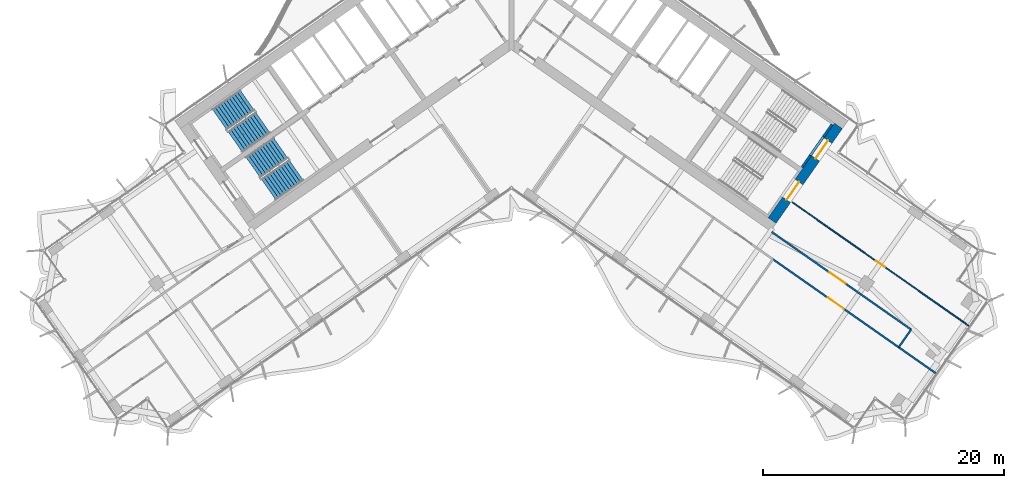
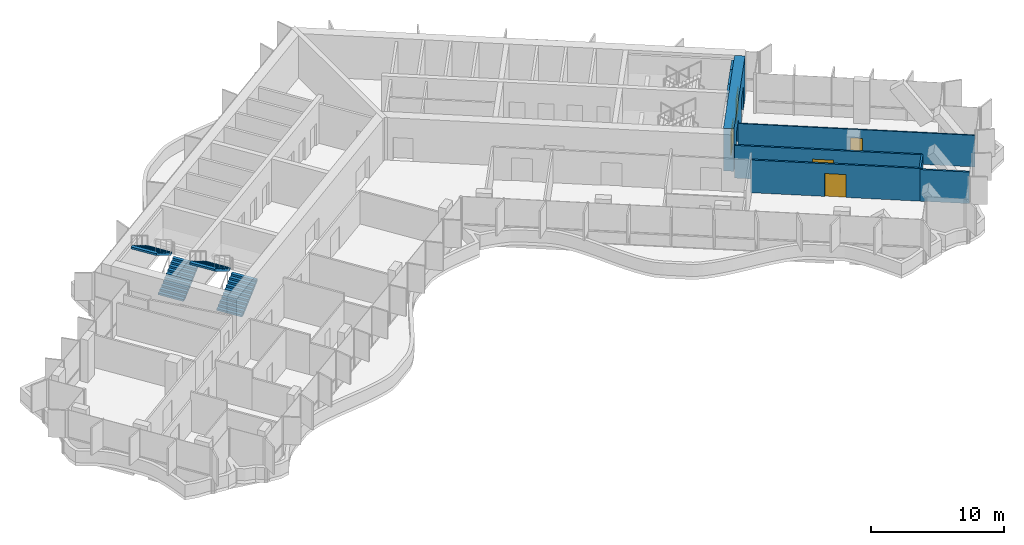
# One storey, part 15 of 21: 9 walls, 5 doors, 4 stair flights, 5 openings, 2 elements without a shape of their own.
"""IFC4 building model written with IfcOpenShell, lengths in metres."""

import ifcopenshell
import ifcopenshell.guid

model = None  # the IFC model being written
_history = None  # IfcOwnerHistory: only IFC2X3 demands one
_inside = {}  # id of a spatial element -> (the spatial element, [elements in it])
_under = {}  # id of a project, library or spatial element -> (it, [spatial elements below it])
_declared = {}  # id of a project -> (the project, [libraries it declares])
_typed = {}  # id of a type object -> (the type object, [elements of that type])
_made_of = {}  # id of a material, layer set ... -> (it, [elements and type objects made of it])


def new_model(schema):
    """Start an empty IFC model of exactly this schema.

    Asked for "IFC4X3", IfcOpenShell would pick the latest addendum, in which some entities
    have other attributes; the version numbers below select the first issue.
    IFC2X3 requires an IfcOwnerHistory on every rooted entity: one is made here for all.
    """
    global model, _history
    if schema == "IFC4X3":
        model = ifcopenshell.file(schema_version=(4, 3, 0, 0))
    else:
        model = ifcopenshell.file(schema=schema)
    _inside.clear()
    _under.clear()
    _declared.clear()
    _typed.clear()
    _made_of.clear()
    _history = None
    if model.schema == "IFC2X3":
        org = make("IfcOrganization", Name="unknown")
        user = make(
            "IfcPersonAndOrganization",
            ThePerson=make("IfcPerson", FamilyName="unknown"),
            TheOrganization=org,
        )
        app = make(
            "IfcApplication",
            ApplicationDeveloper=org,
            Version="unknown",
            ApplicationFullName="unknown",
            ApplicationIdentifier="unknown",
        )
        _history = make(
            "IfcOwnerHistory",
            OwningUser=user,
            OwningApplication=app,
            ChangeAction="ADDED",
            CreationDate=0,
        )
    return model


def make(cls, **values):
    """One entity of the class cls with the attributes given. An attribute that is None is left unset."""
    return model.create_entity(
        cls, **{name: value for name, value in values.items() if value is not None}
    )


def rooted(cls, **values):
    """An entity with a GlobalId (a new one), such as an element, a storey or a relation."""
    return make(cls, GlobalId=ifcopenshell.guid.new(), OwnerHistory=_history, **values)


def si_unit(unit_type, name, prefix=None):
    """IfcSIUnit, for example si_unit("LENGTHUNIT", "METRE", prefix="MILLI")."""
    return make("IfcSIUnit", UnitType=unit_type, Prefix=prefix, Name=name)


def assignment(units):
    """IfcUnitAssignment: the units of a project."""
    return None if units is None else make("IfcUnitAssignment", Units=units)


def point(xyz):
    """IfcCartesianPoint."""
    return None if xyz is None else make("IfcCartesianPoint", Coordinates=xyz)


def direction(xyz):
    """IfcDirection."""
    return None if xyz is None else make("IfcDirection", DirectionRatios=xyz)


def frame(location, z_axis=None, x_axis=None):
    """IfcAxis2Placement3D, a coordinate frame: its origin and axes. An axis left out is left unset."""
    return make(
        "IfcAxis2Placement3D",
        Location=point(location),
        Axis=direction(z_axis),
        RefDirection=direction(x_axis),
    )


def frame_2d(location, x_axis=None):
    """IfcAxis2Placement2D, a coordinate frame in the plane: its origin and x axis."""
    return make(
        "IfcAxis2Placement2D", Location=point(location), RefDirection=direction(x_axis)
    )


def origin():
    """The frame at (0, 0, 0) with its axes left unset."""
    return frame((0.0, 0.0, 0.0))


def place(relative_to, where):
    """IfcLocalPlacement: puts the frame where relative to a parent placement (None: the world)."""
    return make(
        "IfcLocalPlacement", PlacementRelTo=relative_to, RelativePlacement=where
    )


def context(
    kind, dimensions, precision=None, world=None, true_north=None, identifier=None
):
    """IfcGeometricRepresentationContext, for example the 3D "Model" context."""
    return make(
        "IfcGeometricRepresentationContext",
        ContextIdentifier=identifier,
        ContextType=kind,
        CoordinateSpaceDimension=dimensions,
        Precision=precision,
        WorldCoordinateSystem=world,
        TrueNorth=true_north,
    )


def subcontext(parent, identifier, kind, view, scale=None):
    """IfcGeometricRepresentationSubContext, for example "Body" below "Model"."""
    return make(
        "IfcGeometricRepresentationSubContext",
        ContextIdentifier=identifier,
        ContextType=kind,
        ParentContext=parent,
        TargetScale=scale,
        TargetView=view,
    )


def project(units=None, contexts=None):
    """IfcProject with its units and contexts."""
    return rooted(
        "IfcProject",
        Name="project",
        RepresentationContexts=contexts,
        UnitsInContext=assignment(units),
    )


def spatial(cls, under=None, at=None, **own):
    """A site, building, storey or space (cls), placed at a placement, below another one or the project."""
    s = rooted(cls, ObjectPlacement=at, **own)
    if under is not None:
        _under.setdefault(under.id(), (under, []))[1].append(s)
    return s


def polyline(points):
    """IfcPolyline through the points."""
    return make("IfcPolyline", Points=[point(p) for p in points])


def profile(cls, at=None, kind="AREA", **sizes):
    """A parametric profile (cls). Its sizes go by their IFC names, for example OverallWidth=200.0."""
    return make(cls, ProfileType=kind, Position=at, **sizes)


def rectangle(**sizes):
    """IfcRectangleProfileDef."""
    return profile("IfcRectangleProfileDef", **sizes)


def outline(outer, holes=None, kind="AREA"):
    """IfcArbitraryClosedProfileDef: a profile drawn as a closed curve; with holes, ...WithVoids."""
    if holes is None:
        return make("IfcArbitraryClosedProfileDef", ProfileType=kind, OuterCurve=outer)
    return make(
        "IfcArbitraryProfileDefWithVoids",
        ProfileType=kind,
        OuterCurve=outer,
        InnerCurves=holes,
    )


def extrude(swept, where, along, depth):
    """IfcExtrudedAreaSolid: the profile swept, set in the frame where, extruded along a direction by depth."""
    return make(
        "IfcExtrudedAreaSolid",
        SweptArea=swept,
        Position=where,
        ExtrudedDirection=direction(along),
        Depth=depth,
    )


def shape(context_of_items, identifier, shape_type, items):
    """IfcShapeRepresentation: the items that make up one representation, for example the "Body"."""
    return make(
        "IfcShapeRepresentation",
        ContextOfItems=context_of_items,
        RepresentationIdentifier=identifier,
        RepresentationType=shape_type,
        Items=items,
    )


def material(Name=None, Category=None):
    """IfcMaterial."""
    return make("IfcMaterial", Name=Name, Category=Category)


def layer(
    of_material, thickness, ventilated=None, Name=None, Category=None, Priority=None
):
    """IfcMaterialLayer: one layer of a wall or slab, of a material (None: an air gap)."""
    return make(
        "IfcMaterialLayer",
        Material=of_material,
        LayerThickness=thickness,
        IsVentilated=ventilated,
        Name=Name,
        Category=Category,
        Priority=Priority,
    )


def layer_set(layers, Name=None):
    """IfcMaterialLayerSet."""
    return make("IfcMaterialLayerSet", MaterialLayers=layers, LayerSetName=Name)


def made_of(thing, what):
    """Note that an element or type object is made of a material, layer set ...; save() writes the relation."""
    if what is not None:
        _made_of.setdefault(what.id(), (what, []))[1].append(thing)
    return thing


def type_object(cls, material=None, **own):
    """A type object (cls), such as IfcWallType, which elements share."""
    return made_of(rooted(cls, **own), material)


def element(
    cls,
    number,
    at=None,
    inside=None,
    cuts=None,
    type_object=None,
    material=None,
    context=None,
    identifier="Body",
    shape_type=None,
    held_by="IfcProductDefinitionShape",
    body=None,
    shapes=None,
    **own,
):
    """One element of the class cls, such as IfcWall. Its Tag is "e" and its number.

    at: its placement. inside: the storey or other place that contains it. cuts: it is an
    opening in that element (IfcRelVoidsElement). A single representation is given by context,
    identifier, shape_type and body (its items); several are given by shapes. held_by: the class
    of the entity that holds the representations. save() writes the other relations.
    """
    e = rooted(cls, Tag="e%d" % number, ObjectPlacement=at, **own)
    if body is not None:
        shapes = [shape(context, identifier, shape_type, body)]
    if shapes is not None:
        e.Representation = make(held_by, Representations=shapes)
    if inside is not None:
        _inside.setdefault(inside.id(), (inside, []))[1].append(e)
    if cuts is not None:
        rooted(
            "IfcRelVoidsElement", RelatingBuildingElement=cuts, RelatedOpeningElement=e
        )
    if type_object is not None:
        _typed.setdefault(type_object.id(), (type_object, []))[1].append(e)
    return made_of(e, material)


def fill(opening, filler):
    """IfcRelFillsElement: the door or window that sits in an opening."""
    return rooted(
        "IfcRelFillsElement",
        RelatingOpeningElement=opening,
        RelatedBuildingElement=filler,
    )


def aggregate(whole, parts):
    """IfcRelAggregates: a whole, such as a stair, and the parts it consists of."""
    return rooted("IfcRelAggregates", RelatingObject=whole, RelatedObjects=parts)


def save(model, path):
    """Write the relations noted so far, then the file.

    IfcRelAggregates (storeys below a building ...), IfcRelContainedInSpatialStructure (elements
    in a storey), IfcRelDefinesByType, IfcRelAssociatesMaterial and IfcRelDeclares: one each for
    every whole, place, type object, material and project.
    """
    for whole, parts in _under.values():
        aggregate(whole, parts)
    for where, things in _inside.values():
        rooted(
            "IfcRelContainedInSpatialStructure",
            RelatedElements=things,
            RelatingStructure=where,
        )
    for kind, things in _typed.values():
        rooted("IfcRelDefinesByType", RelatedObjects=things, RelatingType=kind)
    for what, things in _made_of.values():
        rooted("IfcRelAssociatesMaterial", RelatedObjects=things, RelatingMaterial=what)
    for by, libraries in _declared.values():
        rooted("IfcRelDeclares", RelatingContext=by, RelatedDefinitions=libraries)
    model.write(path)


model = new_model("IFC4")

# Units and contexts
model_context = context("Model", 3, precision=1e-05, world=origin(), true_north=direction((0.0, 1.0)))
body_context = subcontext(model_context, "Body", "Model", "MODEL_VIEW")
ifc_project = project(units=[si_unit("LENGTHUNIT", "METRE"), si_unit("AREAUNIT", "SQUARE_METRE"), si_unit("VOLUMEUNIT", "CUBIC_METRE"), si_unit("PLANEANGLEUNIT", "RADIAN"), si_unit("MASSUNIT", "GRAM", prefix="KILO")], contexts=[model_context])

# Site, building, storey
site_placement = place(None, origin())
site = spatial("IfcSite", under=ifc_project, at=site_placement, CompositionType="ELEMENT")
building_placement = place(site_placement, origin())
building = spatial("IfcBuilding", under=site, at=building_placement, Name="Tel Ilan Convention Tower", CompositionType="ELEMENT")
storey_placement = place(building_placement, frame((0.0, 0.0, 139.800048828125)))
storey = spatial("IfcBuildingStorey", under=building, at=storey_placement, Name="L31", CompositionType="ELEMENT", Elevation=139.800048828125)

# Wall, openings, doors
ifc_material_1 = material(Name="Concrete C50/60", Category="concrete")
ifc_layer_1 = layer(ifc_material_1, 0.800048828125)
ifc_layer_set_1 = layer_set([ifc_layer_1], Name="Core Shear Wall 800 mm C50/60")
wall_type_1 = type_object("IfcWallType", Name="Core Shear Wall 800 mm C50/60", PredefinedType="SHEAR", material=ifc_layer_set_1)
wall_1_placement = place(storey_placement, frame((21.6748046875, -15.4208984375, 0.0), z_axis=(0.0, 0.0, 1.0), x_axis=(0.573581815061, 0.819148278049, 0.0)))
wall_1 = element("IfcWall", 1, at=wall_1_placement, inside=storey, type_object=wall_type_1, Name="L31 core wall E-end", PredefinedType="SHEAR", context=body_context, shape_type="SweptSolid", body=[
    extrude(outline(polyline([(9.599853515625, 0.400146484375), (0.0, 0.39990234375), (0.0, -0.39990234375), (9.599853515625, -0.39990234375), (9.599853515625, 0.400146484375)])), origin(), (0.0, 0.0, 1.0), 3.89990234375),
])
opening_1_placement = place(wall_1_placement, frame((6.300048828125, 0.0, 0.0)))
opening_1 = element("IfcOpeningElement", 2, at=opening_1_placement, cuts=wall_1, Name="Opening SD2503", PredefinedType="OPENING", context=body_context, shape_type="SweptSolid", body=[
    extrude(rectangle(XDim=1.800048828125, YDim=2.10009765625, at=frame_2d((0.89990234375, 1.050048828125))), frame((0.0, 0.409912109375, 0.0), z_axis=(0.0, -1.0, 0.0), x_axis=(1.0, 0.0, 0.0)), (0.0, 0.0, 1.0), 0.820068359375),
])
opening_2_placement = place(wall_1_placement, frame((2.10009765625, 0.0, 0.0)))
opening_2 = element("IfcOpeningElement", 3, at=opening_2_placement, cuts=wall_1, Name="Opening SD2504", PredefinedType="OPENING", context=body_context, shape_type="SweptSolid", body=[
    extrude(rectangle(XDim=1.800048828125, YDim=2.10009765625, at=frame_2d((0.89990234375, 1.050048828125))), frame((0.0, 0.409912109375, 0.0), z_axis=(0.0, -1.0, 0.0), x_axis=(1.0, 0.0, 0.0)), (0.0, 0.0, 1.0), 0.820068359375),
])
ifc_material_2 = material(Name="Galvanised Steel Door Leaf", Category="steel")
door_type_1 = type_object("IfcDoorType", Name="Stair Fire Door 1800 x 2100 FD60S", OperationType="NOTDEFINED", PredefinedType="DOOR", material=ifc_material_2)
door_1_placement = place(opening_1_placement, origin())
door_1 = element("IfcDoor", 4, at=door_1_placement, inside=storey, type_object=door_type_1, Name="Stair S3 door", OperationType="DOUBLE_DOOR_SINGLE_SWING", OverallHeight=2.10009765625, OverallWidth=1.800048828125, PredefinedType="DOOR", context=body_context, shape_type="SweptSolid", body=[
    extrude(rectangle(XDim=1.800048828125, YDim=2.10009765625, at=frame_2d((0.89990234375, 1.050048828125))), frame((0.0, 0.02490234375, 0.0), z_axis=(0.0, -1.0, 0.0), x_axis=(1.0, 0.0, 0.0)), (0.0, 0.0, 1.0), 0.050048828125),
])
fill(opening_1, door_1)
door_2_placement = place(opening_2_placement, origin())
door_2 = element("IfcDoor", 5, at=door_2_placement, inside=storey, type_object=door_type_1, Name="Stair S4 door", OperationType="DOUBLE_DOOR_SINGLE_SWING", OverallHeight=2.10009765625, OverallWidth=1.800048828125, PredefinedType="DOOR", context=body_context, shape_type="SweptSolid", body=[
    extrude(rectangle(XDim=1.800048828125, YDim=2.10009765625, at=frame_2d((0.89990234375, 1.050048828125))), frame((0.0, 0.02490234375, 0.0), z_axis=(0.0, -1.0, 0.0), x_axis=(1.0, 0.0, 0.0)), (0.0, 0.0, 1.0), 0.050048828125),
])
fill(opening_2, door_2)

# Wall, opening, door
ifc_material_3 = material(Name="Plasterboard on Steel Studs", Category="steel")
ifc_layer_2 = layer(ifc_material_3, 0.14990234375)
ifc_layer_set_2 = layer_set([ifc_layer_2], Name="Fire-rated Partition 150 EI 60")
wall_type_2 = type_object("IfcWallType", Name="Fire-rated Partition 150 EI 60", PredefinedType="PARTITIONING", material=ifc_layer_set_2)
wall_2_placement = place(storey_placement, frame((21.641845703125, -16.37451171875, 0.0), z_axis=(0.0, 0.0, 1.0), x_axis=(0.819150808859, -0.573578200724, 0.0)))
wall_2 = element("IfcWall", 6, at=wall_2_placement, inside=storey, type_object=wall_type_2, Name="Partition 001", PredefinedType="PARTITIONING", context=body_context, shape_type="SweptSolid", body=[
    extrude(rectangle(XDim=14.14208984375, YDim=0.14990234375, at=frame_2d((7.071044921875, 0.0))), origin(), (0.0, 0.0, 1.0), 3.0),
])
opening_3_placement = place(wall_2_placement, frame((5.87109375, 0.0, 0.0)))
opening_3 = element("IfcOpeningElement", 7, at=opening_3_placement, cuts=wall_2, Name="Opening L31-018", PredefinedType="OPENING", context=body_context, shape_type="SweptSolid", body=[
    extrude(rectangle(XDim=1.60009765625, YDim=2.10009765625, at=frame_2d((0.800048828125, 1.050048828125))), frame((0.0, 0.0849609375, 0.0), z_axis=(0.0, -1.0, 0.0), x_axis=(1.0, 0.0, 0.0)), (0.0, 0.0, 1.0), 0.169921875),
])
ifc_material_4 = material(Name="Timber Door Leaf in Steel Frame", Category="steel")
door_type_2 = type_object("IfcDoorType", Name="Tenant Suite Entrance Fire Door 1600x2100", OperationType="NOTDEFINED", PredefinedType="DOOR", material=ifc_material_4)
door_3_placement = place(opening_3_placement, origin())
door_3 = element("IfcDoor", 8, at=door_3_placement, inside=storey, type_object=door_type_2, Name="Door L31-018", OperationType="DOUBLE_DOOR_SINGLE_SWING", OverallHeight=2.10009765625, OverallWidth=1.60009765625, PredefinedType="DOOR", context=body_context, shape_type="SweptSolid", body=[
    extrude(rectangle(XDim=1.60009765625, YDim=2.10009765625, at=frame_2d((0.800048828125, 1.050048828125))), frame((0.0, 0.02490234375, 0.0), z_axis=(0.0, -1.0, 0.0), x_axis=(1.0, 0.0, 0.0)), (0.0, 0.0, 1.0), 0.050048828125),
])
fill(opening_3, door_3)

# Wall
wall_3_placement = place(storey_placement, frame((33.226318359375, -24.486083984375, 0.0), z_axis=(0.0, 0.0, 1.0), x_axis=(-0.573553363558, -0.819168199548, 0.0)))
element("IfcWall", 9, at=wall_3_placement, inside=storey, type_object=wall_type_2, Name="Partition 002", PredefinedType="PARTITIONING", context=body_context, shape_type="SweptSolid", body=[
    extrude(rectangle(XDim=1.800048828125, YDim=0.14990234375, at=frame_2d((0.89990234375, 0.0))), origin(), (0.0, 0.0, 1.0), 3.0),
])

# Wall, opening, door
wall_4_placement = place(storey_placement, frame((32.19384765625, -25.960693359375, 0.0), z_axis=(0.0, 0.0, 1.0), x_axis=(-0.819143848461, 0.573588141028, 0.0)))
wall_4 = element("IfcWall", 10, at=wall_4_placement, inside=storey, type_object=wall_type_2, Name="Partition 006", PredefinedType="PARTITIONING", context=body_context, shape_type="SweptSolid", body=[
    extrude(rectangle(XDim=12.763916015625, YDim=0.14990234375, at=frame_2d((6.3818359375, 0.0))), origin(), (0.0, 0.0, 1.0), 3.0),
])
opening_4_placement = place(wall_4_placement, frame((5.58203125, 0.0, 0.0)))
opening_4 = element("IfcOpeningElement", 11, at=opening_4_placement, cuts=wall_4, Name="Opening L31-017", PredefinedType="OPENING", context=body_context, shape_type="SweptSolid", body=[
    extrude(rectangle(XDim=1.60009765625, YDim=2.10009765625, at=frame_2d((0.800048828125, 1.050048828125))), frame((0.0, 0.0849609375, 0.0), z_axis=(0.0, -1.0, 0.0), x_axis=(1.0, 0.0, 0.0)), (0.0, 0.0, 1.0), 0.169921875),
])
door_4_placement = place(opening_4_placement, origin())
door_4 = element("IfcDoor", 12, at=door_4_placement, inside=storey, type_object=door_type_2, Name="Door L31-017", OperationType="DOUBLE_DOOR_SINGLE_SWING", OverallHeight=2.10009765625, OverallWidth=1.60009765625, PredefinedType="DOOR", context=body_context, shape_type="SweptSolid", body=[
    extrude(rectangle(XDim=1.60009765625, YDim=2.10009765625, at=frame_2d((0.800048828125, 1.050048828125))), frame((0.0, 0.02490234375, 0.0), z_axis=(0.0, -1.0, 0.0), x_axis=(1.0, 0.0, 0.0)), (0.0, 0.0, 1.0), 0.050048828125),
])
fill(opening_4, door_4)

# Wall
wall_5_placement = place(storey_placement, frame((35.25634765625, -28.103759765625, 0.0), z_axis=(0.0, 0.0, 1.0), x_axis=(-0.819213508421, 0.573488646462, 0.0)))
element("IfcWall", 13, at=wall_5_placement, inside=storey, type_object=wall_type_2, Name="Partition 017", PredefinedType="PARTITIONING", context=body_context, shape_type="SweptSolid", body=[
    extrude(rectangle(XDim=3.73779296875, YDim=0.14990234375, at=frame_2d((1.868896484375, 0.0))), origin(), (0.0, 0.0, 1.0), 2.89990234375),
])

# Wall, opening, door
ifc_material_5 = material(Name="Plasterboard on Steel Studs", Category="steel")
ifc_layer_3 = layer(ifc_material_5, 0.10009765625)
ifc_layer_set_3 = layer_set([ifc_layer_3], Name="Plasterboard Partition 100")
wall_type_3 = type_object("IfcWallType", Name="Plasterboard Partition 100", PredefinedType="PARTITIONING", material=ifc_layer_set_3)
wall_6_placement = place(storey_placement, frame((23.363037109375, -13.916259765625, 0.0), z_axis=(0.0, 0.0, 1.0), x_axis=(0.819151086028, -0.573577804887, 0.0)))
wall_6 = element("IfcWall", 14, at=wall_6_placement, inside=storey, type_object=wall_type_3, Name="Partition 016", PredefinedType="PARTITIONING", context=body_context, shape_type="SweptSolid", body=[
    extrude(rectangle(XDim=17.880126953125, YDim=0.10009765625, at=frame_2d((8.93994140625, 0.0))), origin(), (0.0, 0.0, 1.0), 2.89990234375),
])
opening_5_placement = place(wall_6_placement, frame((8.489990234375, 0.0, 0.0)))
opening_5 = element("IfcOpeningElement", 15, at=opening_5_placement, cuts=wall_6, Name="Opening L31-019", PredefinedType="OPENING", context=body_context, shape_type="SweptSolid", body=[
    extrude(rectangle(XDim=0.89990234375, YDim=2.10009765625, at=frame_2d((0.449951171875, 1.050048828125))), frame((0.0, 0.06005859375, 0.0), z_axis=(0.0, -1.0, 0.0), x_axis=(1.0, 0.0, 0.0)), (0.0, 0.0, 1.0), 0.1201171875),
])
ifc_material_6 = material(Name="Timber Door Leaf in Steel Frame", Category="steel")
door_type_3 = type_object("IfcDoorType", Name="Room Timber Door 900x2100", OperationType="NOTDEFINED", PredefinedType="DOOR", material=ifc_material_6)
door_5_placement = place(opening_5_placement, origin())
door_5 = element("IfcDoor", 16, at=door_5_placement, inside=storey, type_object=door_type_3, Name="Door L31-019", OperationType="SINGLE_SWING_RIGHT", OverallHeight=2.10009765625, OverallWidth=0.89990234375, PredefinedType="DOOR", context=body_context, shape_type="SweptSolid", body=[
    extrude(rectangle(XDim=0.89990234375, YDim=2.10009765625, at=frame_2d((0.449951171875, 1.050048828125))), frame((0.0, 0.02490234375, 0.0), z_axis=(0.0, -1.0, 0.0), x_axis=(1.0, 0.0, 0.0)), (0.0, 0.0, 1.0), 0.050048828125),
])
fill(opening_5, door_5)

# Walls
ifc_material_7 = material(Name="Concrete C30/37", Category="concrete")
ifc_layer_4 = layer(ifc_material_7, 0.199951171875)
ifc_layer_set_4 = layer_set([ifc_layer_4], Name="Stair and Shaft Lining Wall 200 mm C30/37")
wall_type_4 = type_object("IfcWallType", Name="Stair and Shaft Lining Wall 200 mm C30/37", PredefinedType="SOLIDWALL", material=ifc_layer_set_4)
wall_7_placement = place(storey_placement, frame((24.16162109375, -10.99755859375, 0.0), z_axis=(0.0, 0.0, 1.0), x_axis=(0.573612502218, 0.819126789514, 0.0)))
element("IfcWall", 17, at=wall_7_placement, inside=storey, type_object=wall_type_4, Name="L31 core wall lining-S3-u1-0", PredefinedType="SOLIDWALL", context=body_context, shape_type="SweptSolid", body=[
    extrude(rectangle(XDim=1.2001953125, YDim=0.199951171875, at=frame_2d((0.60009765625, 0.0))), origin(), (0.0, 0.0, 1.0), 3.619873046875),
])
wall_8_placement = place(storey_placement, frame((25.939697265625, -8.4580078125, 0.0), z_axis=(0.0, 0.0, 1.0), x_axis=(0.573619628835, 0.819121798889, 0.0)))
element("IfcWall", 18, at=wall_8_placement, inside=storey, type_object=wall_type_4, Name="L31 core wall lining-S3-u1-1", PredefinedType="SOLIDWALL", context=body_context, shape_type="SweptSolid", body=[
    extrude(rectangle(XDim=1.25, YDim=0.199951171875, at=frame_2d((0.625, 0.0))), origin(), (0.0, 0.0, 1.0), 3.619873046875),
])
wall_9_placement = place(storey_placement, frame((24.85009765625, -10.014404296875, 2.14990234375), z_axis=(0.0, 0.0, 1.0), x_axis=(0.573505465124, 0.819201734296, 0.0)))
element("IfcWall", 19, at=wall_9_placement, inside=storey, type_object=wall_type_4, Name="L31 core wall lining-S3-u1-lintel", PredefinedType="SOLIDWALL", context=body_context, shape_type="SweptSolid", body=[
    extrude(rectangle(XDim=1.89990234375, YDim=0.199951171875, at=frame_2d((0.949951171875, 0.0))), origin(), (0.0, 0.0, 1.0), 1.469970703125),
])

# Stair, stair flights
ifc_material_8 = material(Name="Concrete C40/50", Category="concrete")
stair_type = type_object("IfcStairType", Name="Pressurised Exit Stair 22 risers 177 mm", PredefinedType="HALF_TURN_STAIR", material=ifc_material_8)
stair_1_placement = place(storey_placement, origin())
stair_1 = element("IfcStair", 20, at=stair_1_placement, inside=storey, type_object=stair_type, Name="L31 Pressurised Stair S1", PredefinedType="HALF_TURN_STAIR")
ifc_material_9 = material(Name="Precast Concrete C40/50", Category="concrete")
stair_flight_type = type_object("IfcStairFlightType", Name="Concrete Stair Flight 2100 mm 22 risers 177 mm", PredefinedType="STRAIGHT", material=ifc_material_9)
stair_flight_1_placement = place(storey_placement, frame((-22.9619140625, -8.87548828125, 0.0), z_axis=(0.0, 0.0, 1.0), x_axis=(0.819152044289, 0.573576436351, 0.0)))
stair_flight_1 = element("IfcStairFlight", 21, at=stair_flight_1_placement, type_object=stair_flight_type, Name="S1 flight 1", NumberOfRisers=11, NumberOfTreads=10, PredefinedType="STRAIGHT", RiserHeight=0.177272727, TreadLength=0.28, context=body_context, shape_type="SweptSolid", body=[
    extrude(outline(polyline([(0.0, 0.0), (0.0, 0.17724609375), (0.280029296875, 0.17724609375), (0.280029296875, 0.3544921875), (0.56005859375, 0.3544921875), (0.56005859375, 0.53173828125), (0.840087890625, 0.53173828125), (0.840087890625, 0.708984375), (1.1201171875, 0.708984375), (1.1201171875, 0.886474609375), (1.39990234375, 0.886474609375), (1.39990234375, 1.063720703125), (1.679931640625, 1.063720703125), (1.679931640625, 1.240966796875), (1.9599609375, 1.240966796875), (1.9599609375, 1.418212890625), (2.239990234375, 1.418212890625), (2.239990234375, 1.595458984375), (2.52001953125, 1.595458984375), (2.52001953125, 1.772705078125), (2.800048828125, 1.772705078125), (2.800048828125, 1.949951171875), (2.800048828125, 1.59521484375), (0.2802734375, 0.0), (0.0, 0.0)])), frame((0.0, -0.100341796875, 0.0), z_axis=(0.0, -1.0, 0.0), x_axis=(1.0, 0.0, 0.0)), (0.0, 0.0, 1.0), 0.94970703125),
    extrude(outline(polyline([(0.0, 0.0), (0.0, 0.17724609375), (0.280029296875, 0.17724609375), (0.280029296875, 0.3544921875), (0.56005859375, 0.3544921875), (0.56005859375, 0.53173828125), (0.840087890625, 0.53173828125), (0.840087890625, 0.708984375), (1.1201171875, 0.708984375), (1.1201171875, 0.886474609375), (1.39990234375, 0.886474609375), (1.39990234375, 1.063720703125), (1.679931640625, 1.063720703125), (1.679931640625, 1.240966796875), (1.9599609375, 1.240966796875), (1.9599609375, 1.418212890625), (2.239990234375, 1.418212890625), (2.239990234375, 1.595458984375), (2.52001953125, 1.595458984375), (2.52001953125, 1.772705078125), (2.800048828125, 1.772705078125), (2.800048828125, 1.949951171875), (2.800048828125, 1.59521484375), (0.2802734375, 0.0), (0.0, 0.0)])), frame((0.0, -0.000244140625, 0.0), z_axis=(0.0, -1.0, 0.0), x_axis=(1.0, 0.0, 0.0)), (0.0, 0.0, 1.0), 0.099609375),
    extrude(outline(polyline([(0.0, 0.0), (0.0, 0.17724609375), (0.280029296875, 0.17724609375), (0.280029296875, 0.3544921875), (0.56005859375, 0.3544921875), (0.56005859375, 0.53173828125), (0.840087890625, 0.53173828125), (0.840087890625, 0.708984375), (1.1201171875, 0.708984375), (1.1201171875, 0.886474609375), (1.39990234375, 0.886474609375), (1.39990234375, 1.063720703125), (1.679931640625, 1.063720703125), (1.679931640625, 1.240966796875), (1.9599609375, 1.240966796875), (1.9599609375, 1.418212890625), (2.239990234375, 1.418212890625), (2.239990234375, 1.595458984375), (2.52001953125, 1.595458984375), (2.52001953125, 1.772705078125), (2.800048828125, 1.772705078125), (2.800048828125, 1.949951171875), (2.800048828125, 1.59521484375), (0.2802734375, 0.0), (0.0, 0.0)])), frame((0.0, 0.099853515625, 0.0), z_axis=(0.0, -1.0, 0.0), x_axis=(1.0, 0.0, 0.0)), (0.0, 0.0, 1.0), 0.099609375),
    extrude(outline(polyline([(0.0, 0.0), (0.0, 0.17724609375), (0.280029296875, 0.17724609375), (0.280029296875, 0.3544921875), (0.56005859375, 0.3544921875), (0.56005859375, 0.53173828125), (0.840087890625, 0.53173828125), (0.840087890625, 0.708984375), (1.1201171875, 0.708984375), (1.1201171875, 0.886474609375), (1.39990234375, 0.886474609375), (1.39990234375, 1.063720703125), (1.679931640625, 1.063720703125), (1.679931640625, 1.240966796875), (1.9599609375, 1.240966796875), (1.9599609375, 1.418212890625), (2.239990234375, 1.418212890625), (2.239990234375, 1.595458984375), (2.52001953125, 1.595458984375), (2.52001953125, 1.772705078125), (2.800048828125, 1.772705078125), (2.800048828125, 1.949951171875), (2.800048828125, 1.59521484375), (0.2802734375, 0.0), (0.0, 0.0)])), frame((0.0, 1.050048828125, 0.0), z_axis=(0.0, -1.0, 0.0), x_axis=(1.0, 0.0, 0.0)), (0.0, 0.0, 1.0), 0.94970703125),
])
stair_flight_2_placement = place(storey_placement, frame((-21.958740234375, -5.42626953125, 1.949951171875), z_axis=(0.0, 0.0, 1.0), x_axis=(-0.819152044289, -0.573576436351, 0.0)))
stair_flight_2 = element("IfcStairFlight", 22, at=stair_flight_2_placement, type_object=stair_flight_type, Name="S1 flight 2", NumberOfRisers=11, NumberOfTreads=10, PredefinedType="STRAIGHT", RiserHeight=0.177272727, TreadLength=0.28, context=body_context, shape_type="SweptSolid", body=[
    extrude(outline(polyline([(0.0, 0.0), (0.0, 0.17724609375), (0.280029296875, 0.17724609375), (0.280029296875, 0.3544921875), (0.56005859375, 0.3544921875), (0.56005859375, 0.53173828125), (0.840087890625, 0.53173828125), (0.840087890625, 0.708984375), (1.1201171875, 0.708984375), (1.1201171875, 0.886474609375), (1.39990234375, 0.886474609375), (1.39990234375, 1.063720703125), (1.679931640625, 1.063720703125), (1.679931640625, 1.240966796875), (1.9599609375, 1.240966796875), (1.9599609375, 1.418212890625), (2.239990234375, 1.418212890625), (2.239990234375, 1.595458984375), (2.52001953125, 1.595458984375), (2.52001953125, 1.772705078125), (2.800048828125, 1.772705078125), (2.800048828125, 1.949951171875), (2.800048828125, 1.59521484375), (0.2802734375, 0.0), (0.0, 0.0)])), frame((0.0, -0.100341796875, 0.0), z_axis=(0.0, -1.0, 0.0), x_axis=(1.0, 0.0, 0.0)), (0.0, 0.0, 1.0), 0.94970703125),
    extrude(outline(polyline([(0.0, 0.0), (0.0, 0.17724609375), (0.280029296875, 0.17724609375), (0.280029296875, 0.3544921875), (0.56005859375, 0.3544921875), (0.56005859375, 0.53173828125), (0.840087890625, 0.53173828125), (0.840087890625, 0.708984375), (1.1201171875, 0.708984375), (1.1201171875, 0.886474609375), (1.39990234375, 0.886474609375), (1.39990234375, 1.063720703125), (1.679931640625, 1.063720703125), (1.679931640625, 1.240966796875), (1.9599609375, 1.240966796875), (1.9599609375, 1.418212890625), (2.239990234375, 1.418212890625), (2.239990234375, 1.595458984375), (2.52001953125, 1.595458984375), (2.52001953125, 1.772705078125), (2.800048828125, 1.772705078125), (2.800048828125, 1.949951171875), (2.800048828125, 1.59521484375), (0.2802734375, 0.0), (0.0, 0.0)])), frame((0.0, -0.000244140625, 0.0), z_axis=(0.0, -1.0, 0.0), x_axis=(1.0, 0.0, 0.0)), (0.0, 0.0, 1.0), 0.099609375),
    extrude(outline(polyline([(0.0, 0.0), (0.0, 0.17724609375), (0.280029296875, 0.17724609375), (0.280029296875, 0.3544921875), (0.56005859375, 0.3544921875), (0.56005859375, 0.53173828125), (0.840087890625, 0.53173828125), (0.840087890625, 0.708984375), (1.1201171875, 0.708984375), (1.1201171875, 0.886474609375), (1.39990234375, 0.886474609375), (1.39990234375, 1.063720703125), (1.679931640625, 1.063720703125), (1.679931640625, 1.240966796875), (1.9599609375, 1.240966796875), (1.9599609375, 1.418212890625), (2.239990234375, 1.418212890625), (2.239990234375, 1.595458984375), (2.52001953125, 1.595458984375), (2.52001953125, 1.772705078125), (2.800048828125, 1.772705078125), (2.800048828125, 1.949951171875), (2.800048828125, 1.59521484375), (0.2802734375, 0.0), (0.0, 0.0)])), frame((0.0, 0.099853515625, 0.0), z_axis=(0.0, -1.0, 0.0), x_axis=(1.0, 0.0, 0.0)), (0.0, 0.0, 1.0), 0.099609375),
    extrude(outline(polyline([(0.0, 0.0), (0.0, 0.17724609375), (0.280029296875, 0.17724609375), (0.280029296875, 0.3544921875), (0.56005859375, 0.3544921875), (0.56005859375, 0.53173828125), (0.840087890625, 0.53173828125), (0.840087890625, 0.708984375), (1.1201171875, 0.708984375), (1.1201171875, 0.886474609375), (1.39990234375, 0.886474609375), (1.39990234375, 1.063720703125), (1.679931640625, 1.063720703125), (1.679931640625, 1.240966796875), (1.9599609375, 1.240966796875), (1.9599609375, 1.418212890625), (2.239990234375, 1.418212890625), (2.239990234375, 1.595458984375), (2.52001953125, 1.595458984375), (2.52001953125, 1.772705078125), (2.800048828125, 1.772705078125), (2.800048828125, 1.949951171875), (2.800048828125, 1.59521484375), (0.2802734375, 0.0), (0.0, 0.0)])), frame((0.0, 1.050048828125, 0.0), z_axis=(0.0, -1.0, 0.0), x_axis=(1.0, 0.0, 0.0)), (0.0, 0.0, 1.0), 0.94970703125),
])
aggregate(stair_1, [stair_flight_1, stair_flight_2])

stair_2_placement = place(storey_placement, origin())
stair_2 = element("IfcStair", 23, at=stair_2_placement, inside=storey, type_object=stair_type, Name="L31 Pressurised Stair S2", PredefinedType="HALF_TURN_STAIR")
stair_flight_3_placement = place(storey_placement, frame((-20.179931640625, -12.848388671875, 0.0), z_axis=(0.0, 0.0, 1.0), x_axis=(0.819152044289, 0.573576436351, 0.0)))
stair_flight_3 = element("IfcStairFlight", 24, at=stair_flight_3_placement, type_object=stair_flight_type, Name="S2 flight 1", NumberOfRisers=11, NumberOfTreads=10, PredefinedType="STRAIGHT", RiserHeight=0.177272727, TreadLength=0.28, context=body_context, shape_type="SweptSolid", body=[
    extrude(outline(polyline([(0.0, 0.0), (0.0, 0.17724609375), (0.280029296875, 0.17724609375), (0.280029296875, 0.3544921875), (0.56005859375, 0.3544921875), (0.56005859375, 0.53173828125), (0.840087890625, 0.53173828125), (0.840087890625, 0.708984375), (1.1201171875, 0.708984375), (1.1201171875, 0.886474609375), (1.39990234375, 0.886474609375), (1.39990234375, 1.063720703125), (1.679931640625, 1.063720703125), (1.679931640625, 1.240966796875), (1.9599609375, 1.240966796875), (1.9599609375, 1.418212890625), (2.239990234375, 1.418212890625), (2.239990234375, 1.595458984375), (2.52001953125, 1.595458984375), (2.52001953125, 1.772705078125), (2.800048828125, 1.772705078125), (2.800048828125, 1.949951171875), (2.800048828125, 1.59521484375), (0.2802734375, 0.0), (0.0, 0.0)])), frame((0.0, -0.100341796875, 0.0), z_axis=(0.0, -1.0, 0.0), x_axis=(1.0, 0.0, 0.0)), (0.0, 0.0, 1.0), 0.94970703125),
    extrude(outline(polyline([(0.0, 0.0), (0.0, 0.17724609375), (0.280029296875, 0.17724609375), (0.280029296875, 0.3544921875), (0.56005859375, 0.3544921875), (0.56005859375, 0.53173828125), (0.840087890625, 0.53173828125), (0.840087890625, 0.708984375), (1.1201171875, 0.708984375), (1.1201171875, 0.886474609375), (1.39990234375, 0.886474609375), (1.39990234375, 1.063720703125), (1.679931640625, 1.063720703125), (1.679931640625, 1.240966796875), (1.9599609375, 1.240966796875), (1.9599609375, 1.418212890625), (2.239990234375, 1.418212890625), (2.239990234375, 1.595458984375), (2.52001953125, 1.595458984375), (2.52001953125, 1.772705078125), (2.800048828125, 1.772705078125), (2.800048828125, 1.949951171875), (2.800048828125, 1.59521484375), (0.2802734375, 0.0), (0.0, 0.0)])), frame((0.0, -0.000244140625, 0.0), z_axis=(0.0, -1.0, 0.0), x_axis=(1.0, 0.0, 0.0)), (0.0, 0.0, 1.0), 0.099609375),
    extrude(outline(polyline([(0.0, 0.0), (0.0, 0.17724609375), (0.280029296875, 0.17724609375), (0.280029296875, 0.3544921875), (0.56005859375, 0.3544921875), (0.56005859375, 0.53173828125), (0.840087890625, 0.53173828125), (0.840087890625, 0.708984375), (1.1201171875, 0.708984375), (1.1201171875, 0.886474609375), (1.39990234375, 0.886474609375), (1.39990234375, 1.063720703125), (1.679931640625, 1.063720703125), (1.679931640625, 1.240966796875), (1.9599609375, 1.240966796875), (1.9599609375, 1.418212890625), (2.239990234375, 1.418212890625), (2.239990234375, 1.595458984375), (2.52001953125, 1.595458984375), (2.52001953125, 1.772705078125), (2.800048828125, 1.772705078125), (2.800048828125, 1.949951171875), (2.800048828125, 1.59521484375), (0.2802734375, 0.0), (0.0, 0.0)])), frame((0.0, 0.099853515625, 0.0), z_axis=(0.0, -1.0, 0.0), x_axis=(1.0, 0.0, 0.0)), (0.0, 0.0, 1.0), 0.099609375),
    extrude(outline(polyline([(0.0, 0.0), (0.0, 0.17724609375), (0.280029296875, 0.17724609375), (0.280029296875, 0.3544921875), (0.56005859375, 0.3544921875), (0.56005859375, 0.53173828125), (0.840087890625, 0.53173828125), (0.840087890625, 0.708984375), (1.1201171875, 0.708984375), (1.1201171875, 0.886474609375), (1.39990234375, 0.886474609375), (1.39990234375, 1.063720703125), (1.679931640625, 1.063720703125), (1.679931640625, 1.240966796875), (1.9599609375, 1.240966796875), (1.9599609375, 1.418212890625), (2.239990234375, 1.418212890625), (2.239990234375, 1.595458984375), (2.52001953125, 1.595458984375), (2.52001953125, 1.772705078125), (2.800048828125, 1.772705078125), (2.800048828125, 1.949951171875), (2.800048828125, 1.59521484375), (0.2802734375, 0.0), (0.0, 0.0)])), frame((0.0, 1.050048828125, 0.0), z_axis=(0.0, -1.0, 0.0), x_axis=(1.0, 0.0, 0.0)), (0.0, 0.0, 1.0), 0.94970703125),
])
stair_flight_4_placement = place(storey_placement, frame((-19.177001953125, -9.399169921875, 1.949951171875), z_axis=(0.0, 0.0, 1.0), x_axis=(-0.819152044289, -0.573576436351, 0.0)))
stair_flight_4 = element("IfcStairFlight", 25, at=stair_flight_4_placement, type_object=stair_flight_type, Name="S2 flight 2", NumberOfRisers=11, NumberOfTreads=10, PredefinedType="STRAIGHT", RiserHeight=0.177272727, TreadLength=0.28, context=body_context, shape_type="SweptSolid", body=[
    extrude(outline(polyline([(0.0, 0.0), (0.0, 0.17724609375), (0.280029296875, 0.17724609375), (0.280029296875, 0.3544921875), (0.56005859375, 0.3544921875), (0.56005859375, 0.53173828125), (0.840087890625, 0.53173828125), (0.840087890625, 0.708984375), (1.1201171875, 0.708984375), (1.1201171875, 0.886474609375), (1.39990234375, 0.886474609375), (1.39990234375, 1.063720703125), (1.679931640625, 1.063720703125), (1.679931640625, 1.240966796875), (1.9599609375, 1.240966796875), (1.9599609375, 1.418212890625), (2.239990234375, 1.418212890625), (2.239990234375, 1.595458984375), (2.52001953125, 1.595458984375), (2.52001953125, 1.772705078125), (2.800048828125, 1.772705078125), (2.800048828125, 1.949951171875), (2.800048828125, 1.59521484375), (0.2802734375, 0.0), (0.0, 0.0)])), frame((0.0, -0.100341796875, 0.0), z_axis=(0.0, -1.0, 0.0), x_axis=(1.0, 0.0, 0.0)), (0.0, 0.0, 1.0), 0.94970703125),
    extrude(outline(polyline([(0.0, 0.0), (0.0, 0.17724609375), (0.280029296875, 0.17724609375), (0.280029296875, 0.3544921875), (0.56005859375, 0.3544921875), (0.56005859375, 0.53173828125), (0.840087890625, 0.53173828125), (0.840087890625, 0.708984375), (1.1201171875, 0.708984375), (1.1201171875, 0.886474609375), (1.39990234375, 0.886474609375), (1.39990234375, 1.063720703125), (1.679931640625, 1.063720703125), (1.679931640625, 1.240966796875), (1.9599609375, 1.240966796875), (1.9599609375, 1.418212890625), (2.239990234375, 1.418212890625), (2.239990234375, 1.595458984375), (2.52001953125, 1.595458984375), (2.52001953125, 1.772705078125), (2.800048828125, 1.772705078125), (2.800048828125, 1.949951171875), (2.800048828125, 1.59521484375), (0.2802734375, 0.0), (0.0, 0.0)])), frame((0.0, -0.000244140625, 0.0), z_axis=(0.0, -1.0, 0.0), x_axis=(1.0, 0.0, 0.0)), (0.0, 0.0, 1.0), 0.099609375),
    extrude(outline(polyline([(0.0, 0.0), (0.0, 0.17724609375), (0.280029296875, 0.17724609375), (0.280029296875, 0.3544921875), (0.56005859375, 0.3544921875), (0.56005859375, 0.53173828125), (0.840087890625, 0.53173828125), (0.840087890625, 0.708984375), (1.1201171875, 0.708984375), (1.1201171875, 0.886474609375), (1.39990234375, 0.886474609375), (1.39990234375, 1.063720703125), (1.679931640625, 1.063720703125), (1.679931640625, 1.240966796875), (1.9599609375, 1.240966796875), (1.9599609375, 1.418212890625), (2.239990234375, 1.418212890625), (2.239990234375, 1.595458984375), (2.52001953125, 1.595458984375), (2.52001953125, 1.772705078125), (2.800048828125, 1.772705078125), (2.800048828125, 1.949951171875), (2.800048828125, 1.59521484375), (0.2802734375, 0.0), (0.0, 0.0)])), frame((0.0, 0.099853515625, 0.0), z_axis=(0.0, -1.0, 0.0), x_axis=(1.0, 0.0, 0.0)), (0.0, 0.0, 1.0), 0.099609375),
    extrude(outline(polyline([(0.0, 0.0), (0.0, 0.17724609375), (0.280029296875, 0.17724609375), (0.280029296875, 0.3544921875), (0.56005859375, 0.3544921875), (0.56005859375, 0.53173828125), (0.840087890625, 0.53173828125), (0.840087890625, 0.708984375), (1.1201171875, 0.708984375), (1.1201171875, 0.886474609375), (1.39990234375, 0.886474609375), (1.39990234375, 1.063720703125), (1.679931640625, 1.063720703125), (1.679931640625, 1.240966796875), (1.9599609375, 1.240966796875), (1.9599609375, 1.418212890625), (2.239990234375, 1.418212890625), (2.239990234375, 1.595458984375), (2.52001953125, 1.595458984375), (2.52001953125, 1.772705078125), (2.800048828125, 1.772705078125), (2.800048828125, 1.949951171875), (2.800048828125, 1.59521484375), (0.2802734375, 0.0), (0.0, 0.0)])), frame((0.0, 1.050048828125, 0.0), z_axis=(0.0, -1.0, 0.0), x_axis=(1.0, 0.0, 0.0)), (0.0, 0.0, 1.0), 0.94970703125),
])
aggregate(stair_2, [stair_flight_3, stair_flight_4])

save(model, "model.ifc")
